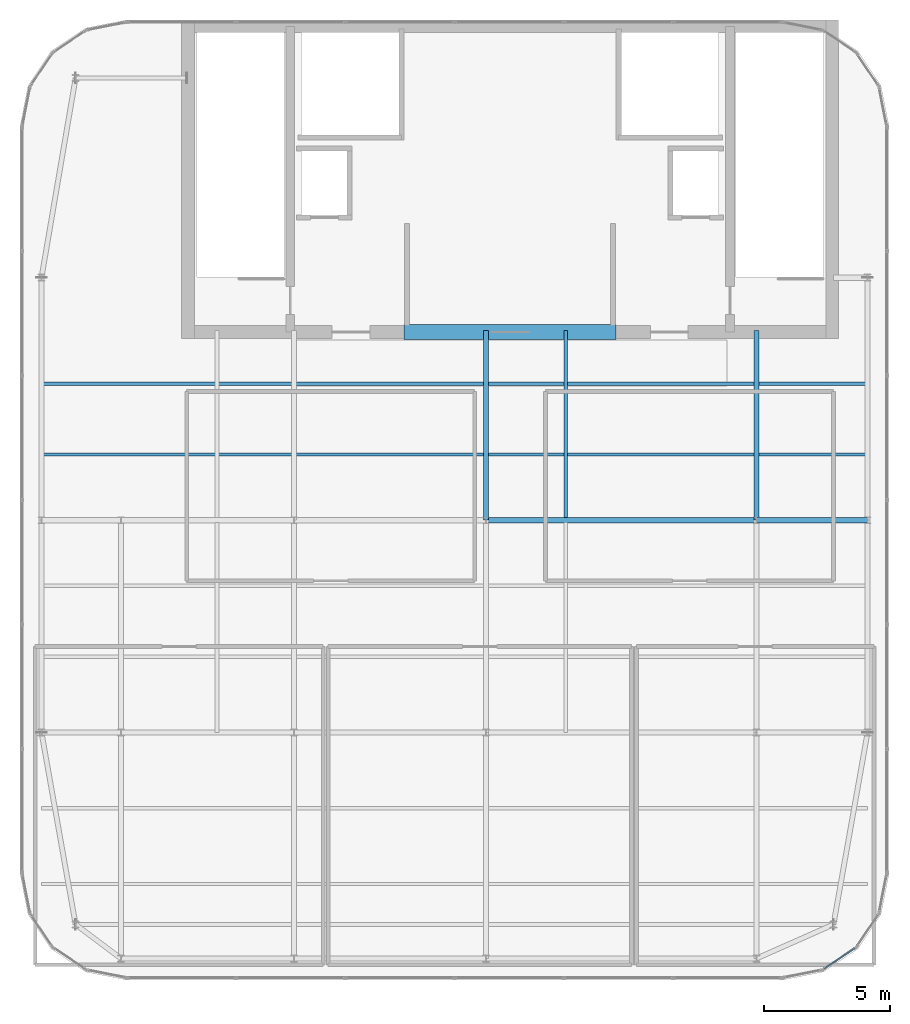
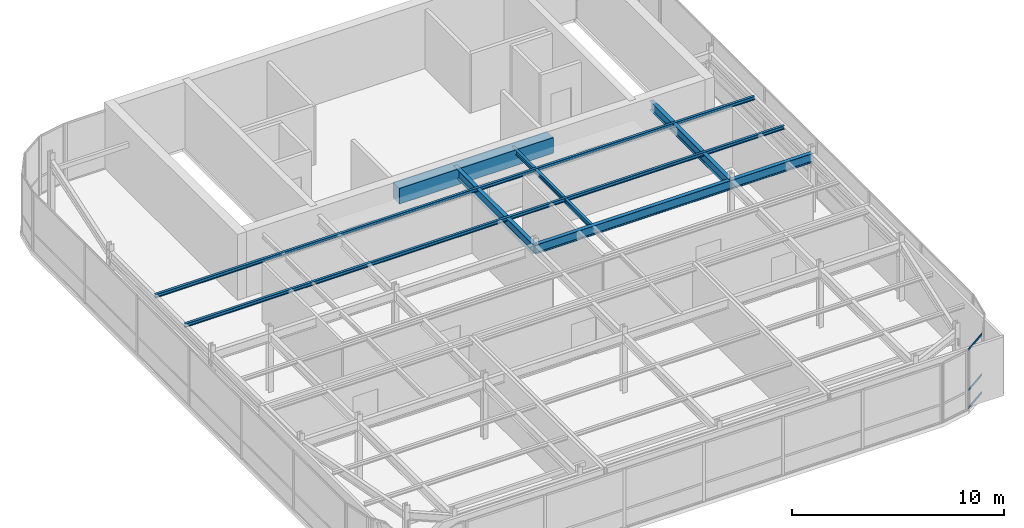
# One storey, part 20 of 35: 6 beams, 5 members, 1 element without a shape of its own.
"""IFC4 building model written with IfcOpenShell, lengths in metres."""

import ifcopenshell
import ifcopenshell.guid

model = None  # the IFC model being written
_history = None  # IfcOwnerHistory: only IFC2X3 demands one
_inside = {}  # id of a spatial element -> (the spatial element, [elements in it])
_under = {}  # id of a project, library or spatial element -> (it, [spatial elements below it])
_declared = {}  # id of a project -> (the project, [libraries it declares])
_typed = {}  # id of a type object -> (the type object, [elements of that type])
_made_of = {}  # id of a material, layer set ... -> (it, [elements and type objects made of it])


def new_model(schema):
    """Start an empty IFC model of exactly this schema.

    Asked for "IFC4X3", IfcOpenShell would pick the latest addendum, in which some entities
    have other attributes; the version numbers below select the first issue.
    IFC2X3 requires an IfcOwnerHistory on every rooted entity: one is made here for all.
    """
    global model, _history
    if schema == "IFC4X3":
        model = ifcopenshell.file(schema_version=(4, 3, 0, 0))
    else:
        model = ifcopenshell.file(schema=schema)
    _inside.clear()
    _under.clear()
    _declared.clear()
    _typed.clear()
    _made_of.clear()
    _history = None
    if model.schema == "IFC2X3":
        org = make("IfcOrganization", Name="unknown")
        user = make(
            "IfcPersonAndOrganization",
            ThePerson=make("IfcPerson", FamilyName="unknown"),
            TheOrganization=org,
        )
        app = make(
            "IfcApplication",
            ApplicationDeveloper=org,
            Version="unknown",
            ApplicationFullName="unknown",
            ApplicationIdentifier="unknown",
        )
        _history = make(
            "IfcOwnerHistory",
            OwningUser=user,
            OwningApplication=app,
            ChangeAction="ADDED",
            CreationDate=0,
        )
    return model


def make(cls, **values):
    """One entity of the class cls with the attributes given. An attribute that is None is left unset."""
    return model.create_entity(
        cls, **{name: value for name, value in values.items() if value is not None}
    )


def rooted(cls, **values):
    """An entity with a GlobalId (a new one), such as an element, a storey or a relation."""
    return make(cls, GlobalId=ifcopenshell.guid.new(), OwnerHistory=_history, **values)


def si_unit(unit_type, name, prefix=None):
    """IfcSIUnit, for example si_unit("LENGTHUNIT", "METRE", prefix="MILLI")."""
    return make("IfcSIUnit", UnitType=unit_type, Prefix=prefix, Name=name)


def assignment(units):
    """IfcUnitAssignment: the units of a project."""
    return None if units is None else make("IfcUnitAssignment", Units=units)


def point(xyz):
    """IfcCartesianPoint."""
    return None if xyz is None else make("IfcCartesianPoint", Coordinates=xyz)


def direction(xyz):
    """IfcDirection."""
    return None if xyz is None else make("IfcDirection", DirectionRatios=xyz)


def frame(location, z_axis=None, x_axis=None):
    """IfcAxis2Placement3D, a coordinate frame: its origin and axes. An axis left out is left unset."""
    return make(
        "IfcAxis2Placement3D",
        Location=point(location),
        Axis=direction(z_axis),
        RefDirection=direction(x_axis),
    )


def frame_2d(location, x_axis=None):
    """IfcAxis2Placement2D, a coordinate frame in the plane: its origin and x axis."""
    return make(
        "IfcAxis2Placement2D", Location=point(location), RefDirection=direction(x_axis)
    )


def origin():
    """The frame at (0, 0, 0) with its axes left unset."""
    return frame((0.0, 0.0, 0.0))


def origin_2d():
    """The frame at (0, 0) in the plane with its x axis left unset."""
    return frame_2d((0.0, 0.0))


def place(relative_to, where):
    """IfcLocalPlacement: puts the frame where relative to a parent placement (None: the world)."""
    return make(
        "IfcLocalPlacement", PlacementRelTo=relative_to, RelativePlacement=where
    )


def context(
    kind, dimensions, precision=None, world=None, true_north=None, identifier=None
):
    """IfcGeometricRepresentationContext, for example the 3D "Model" context."""
    return make(
        "IfcGeometricRepresentationContext",
        ContextIdentifier=identifier,
        ContextType=kind,
        CoordinateSpaceDimension=dimensions,
        Precision=precision,
        WorldCoordinateSystem=world,
        TrueNorth=true_north,
    )


def subcontext(parent, identifier, kind, view, scale=None):
    """IfcGeometricRepresentationSubContext, for example "Body" below "Model"."""
    return make(
        "IfcGeometricRepresentationSubContext",
        ContextIdentifier=identifier,
        ContextType=kind,
        ParentContext=parent,
        TargetScale=scale,
        TargetView=view,
    )


def project(units=None, contexts=None):
    """IfcProject with its units and contexts."""
    return rooted(
        "IfcProject",
        Name="project",
        RepresentationContexts=contexts,
        UnitsInContext=assignment(units),
    )


def spatial(cls, under=None, at=None, **own):
    """A site, building, storey or space (cls), placed at a placement, below another one or the project."""
    s = rooted(cls, ObjectPlacement=at, **own)
    if under is not None:
        _under.setdefault(under.id(), (under, []))[1].append(s)
    return s


def profile(cls, at=None, kind="AREA", **sizes):
    """A parametric profile (cls). Its sizes go by their IFC names, for example OverallWidth=200.0."""
    return make(cls, ProfileType=kind, Position=at, **sizes)


def rectangle(**sizes):
    """IfcRectangleProfileDef."""
    return profile("IfcRectangleProfileDef", **sizes)


def hollow_rectangle(**sizes):
    """IfcRectangleHollowProfileDef."""
    return profile("IfcRectangleHollowProfileDef", **sizes)


def i_section(**sizes):
    """IfcIShapeProfileDef."""
    return profile("IfcIShapeProfileDef", **sizes)


def extrude(swept, where, along, depth):
    """IfcExtrudedAreaSolid: the profile swept, set in the frame where, extruded along a direction by depth."""
    return make(
        "IfcExtrudedAreaSolid",
        SweptArea=swept,
        Position=where,
        ExtrudedDirection=direction(along),
        Depth=depth,
    )


def shape(context_of_items, identifier, shape_type, items):
    """IfcShapeRepresentation: the items that make up one representation, for example the "Body"."""
    return make(
        "IfcShapeRepresentation",
        ContextOfItems=context_of_items,
        RepresentationIdentifier=identifier,
        RepresentationType=shape_type,
        Items=items,
    )


def source(mapping_origin, context_of_items, identifier, shape_type, items):
    """IfcRepresentationMap: a shape defined once, which mapped items show again and again."""
    return make(
        "IfcRepresentationMap",
        MappingOrigin=mapping_origin,
        MappedRepresentation=shape(context_of_items, identifier, shape_type, items),
    )


def transform(
    local_origin,
    x_axis=None,
    y_axis=None,
    z_axis=None,
    scale=None,
    scale2=None,
    scale3=None,
    uniform=True,
):
    """IfcCartesianTransformationOperator3D, or its non-uniform kind. x_axis, y_axis, z_axis: its Axis1, 2, 3."""
    if uniform:
        return make(
            "IfcCartesianTransformationOperator3D",
            Axis1=direction(x_axis),
            Axis2=direction(y_axis),
            LocalOrigin=point(local_origin),
            Scale=scale,
            Axis3=direction(z_axis),
        )
    return make(
        "IfcCartesianTransformationOperator3DnonUniform",
        Axis1=direction(x_axis),
        Axis2=direction(y_axis),
        LocalOrigin=point(local_origin),
        Scale=scale,
        Axis3=direction(z_axis),
        Scale2=scale2,
        Scale3=scale3,
    )


def mapped(mapping_source, mapping_target):
    """IfcMappedItem: shows the shape of a source again, moved by a transform."""
    return make(
        "IfcMappedItem", MappingSource=mapping_source, MappingTarget=mapping_target
    )


def material(Name=None, Category=None):
    """IfcMaterial."""
    return make("IfcMaterial", Name=Name, Category=Category)


def layer(
    of_material, thickness, ventilated=None, Name=None, Category=None, Priority=None
):
    """IfcMaterialLayer: one layer of a wall or slab, of a material (None: an air gap)."""
    return make(
        "IfcMaterialLayer",
        Material=of_material,
        LayerThickness=thickness,
        IsVentilated=ventilated,
        Name=Name,
        Category=Category,
        Priority=Priority,
    )


def layer_set(layers, Name=None):
    """IfcMaterialLayerSet."""
    return make("IfcMaterialLayerSet", MaterialLayers=layers, LayerSetName=Name)


def material_profile(
    of_material, cross_section, Name=None, Category=None, Priority=None
):
    """IfcMaterialProfile: a cross section and its material."""
    return make(
        "IfcMaterialProfile",
        Name=Name,
        Material=of_material,
        Profile=cross_section,
        Priority=Priority,
        Category=Category,
    )


def profile_set(profiles, Name=None, composite=None):
    """IfcMaterialProfileSet."""
    return make(
        "IfcMaterialProfileSet",
        Name=Name,
        MaterialProfiles=profiles,
        CompositeProfile=composite,
    )


def made_of(thing, what):
    """Note that an element or type object is made of a material, layer set ...; save() writes the relation."""
    if what is not None:
        _made_of.setdefault(what.id(), (what, []))[1].append(thing)
    return thing


def type_object(cls, material=None, **own):
    """A type object (cls), such as IfcWallType, which elements share."""
    return made_of(rooted(cls, **own), material)


def type_shapes(of_type, sources):
    """Give a type object the sources (RepresentationMaps) that its elements show as mapped items."""
    of_type.RepresentationMaps = sources


def element(
    cls,
    number,
    at=None,
    inside=None,
    cuts=None,
    type_object=None,
    material=None,
    context=None,
    identifier="Body",
    shape_type=None,
    held_by="IfcProductDefinitionShape",
    body=None,
    shapes=None,
    **own,
):
    """One element of the class cls, such as IfcWall. Its Tag is "e" and its number.

    at: its placement. inside: the storey or other place that contains it. cuts: it is an
    opening in that element (IfcRelVoidsElement). A single representation is given by context,
    identifier, shape_type and body (its items); several are given by shapes. held_by: the class
    of the entity that holds the representations. save() writes the other relations.
    """
    e = rooted(cls, Tag="e%d" % number, ObjectPlacement=at, **own)
    if body is not None:
        shapes = [shape(context, identifier, shape_type, body)]
    if shapes is not None:
        e.Representation = make(held_by, Representations=shapes)
    if inside is not None:
        _inside.setdefault(inside.id(), (inside, []))[1].append(e)
    if cuts is not None:
        rooted(
            "IfcRelVoidsElement", RelatingBuildingElement=cuts, RelatedOpeningElement=e
        )
    if type_object is not None:
        _typed.setdefault(type_object.id(), (type_object, []))[1].append(e)
    return made_of(e, material)


def aggregate(whole, parts):
    """IfcRelAggregates: a whole, such as a stair, and the parts it consists of."""
    return rooted("IfcRelAggregates", RelatingObject=whole, RelatedObjects=parts)


def save(model, path):
    """Write the relations noted so far, then the file.

    IfcRelAggregates (storeys below a building ...), IfcRelContainedInSpatialStructure (elements
    in a storey), IfcRelDefinesByType, IfcRelAssociatesMaterial and IfcRelDeclares: one each for
    every whole, place, type object, material and project.
    """
    for whole, parts in _under.values():
        aggregate(whole, parts)
    for where, things in _inside.values():
        rooted(
            "IfcRelContainedInSpatialStructure",
            RelatedElements=things,
            RelatingStructure=where,
        )
    for kind, things in _typed.values():
        rooted("IfcRelDefinesByType", RelatedObjects=things, RelatingType=kind)
    for what, things in _made_of.values():
        rooted("IfcRelAssociatesMaterial", RelatedObjects=things, RelatingMaterial=what)
    for by, libraries in _declared.values():
        rooted("IfcRelDeclares", RelatingContext=by, RelatedDefinitions=libraries)
    model.write(path)


model = new_model("IFC4")

# Units and contexts
model_context = context("Model", 3, precision=1e-05, world=origin(), true_north=direction((0.0, 1.0)))
body_context = subcontext(model_context, "Body", "Model", "MODEL_VIEW")
ifc_project = project(units=[si_unit("LENGTHUNIT", "METRE"), si_unit("AREAUNIT", "SQUARE_METRE"), si_unit("VOLUMEUNIT", "CUBIC_METRE"), si_unit("PLANEANGLEUNIT", "RADIAN"), si_unit("MASSUNIT", "GRAM", prefix="KILO")], contexts=[model_context])

# Site, building, storey
site_placement = place(None, origin())
site = spatial("IfcSite", under=ifc_project, at=site_placement, CompositionType="ELEMENT")
building_placement = place(site_placement, origin())
building = spatial("IfcBuilding", under=site, at=building_placement, Name="Tolvann Quenvar Hotel", CompositionType="ELEMENT")
storey_placement = place(building_placement, frame((0.0, 0.0, 309.949951171875)))
storey = spatial("IfcBuildingStorey", under=building, at=storey_placement, Name="L82", CompositionType="ELEMENT", Elevation=309.949951171875)

# Beams
ifc_material_1 = material(Name="Concrete N50 (50 MPa)", Category="concrete")
ifc_material_profile_1 = material_profile(ifc_material_1, rectangle(XDim=0.60009765625, YDim=0.89990234375, at=origin_2d()), Name="RC600x900")
ifc_profile_set_1 = profile_set([ifc_material_profile_1], Name="Concrete N50 (50 MPa)")
beam_type_1 = type_object("IfcBeamType", Name="BM_LINT_RC600x900", PredefinedType="LINTEL", material=ifc_profile_set_1)
shared_shape_1 = source(origin(), body_context, "Body", "SweptSolid", [
    extrude(rectangle(XDim=0.60009765625, YDim=0.89990234375, at=origin_2d()), origin(), (0.0, 0.0, 1.0), 8.39990234375),
])
type_shapes(beam_type_1, [shared_shape_1])
beam_1_placement = place(storey_placement, frame((18.800048828125, 31.85009765625, 2.949951171875), z_axis=(1.0, 0.0, 0.0), x_axis=(0.0, 1.0, 0.0)))
element("IfcBeam", 1, at=beam_1_placement, inside=storey, type_object=beam_type_1, Name="Core Coupling Lintel Beam (L82)", PredefinedType="LINTEL", context=body_context, shape_type="MappedRepresentation", body=[
    mapped(shared_shape_1, transform((0.0, 0.0, 0.0), x_axis=(1.0, 0.0, 0.0), y_axis=(0.0, 1.0, 0.0), z_axis=(0.0, 0.0, 1.0), scale=1.0)),
])
ifc_material_2 = material(Name="Steel Grade 350", Category="steel")
ifc_material_profile_2 = material_profile(ifc_material_2, i_section(OverallWidth=0.208984375, OverallDepth=0.532958984375, WebThickness=0.01025390625, FlangeThickness=0.015625, FilletRadius=0.013916015625, at=origin_2d()), Name="530UB92")
ifc_profile_set_2 = profile_set([ifc_material_profile_2], Name="Steel Grade 350")
beam_type_2 = type_object("IfcBeamType", Name="BM_GIRD_530UB92", PredefinedType="BEAM", material=ifc_profile_set_2)
shared_shape_2 = source(origin(), body_context, "Body", "SweptSolid", [
    extrude(i_section(OverallWidth=0.208984375, OverallDepth=0.532958984375, WebThickness=0.01025390625, FlangeThickness=0.015625, FilletRadius=0.013916015625, at=origin_2d()), origin(), (0.0, 0.0, 1.0), 7.5),
])
for number, where, z_axis, x_axis, name in (
    (2, (22.050048828125, 24.39990234375, 3.133544921875), (0.0, 1.0, 0.0), (-1.0, 0.0, 0.0), "BM-L82-CORE-E5"),
    (3, (32.75, 24.39990234375, 3.133544921875), (0.0, 1.0, 0.0), (-1.0, 0.0, 0.0), "BM-L82-CORE-FP5"),
):
    element("IfcBeam", number, at=place(storey_placement, frame(where, z_axis=z_axis, x_axis=x_axis)), inside=storey, type_object=beam_type_2, Name=name, PredefinedType="BEAM", context=body_context, shape_type="MappedRepresentation", body=[
        mapped(shared_shape_2, transform((0.0, 0.0, 0.0), x_axis=(1.0, 0.0, 0.0), y_axis=(0.0, 1.0, 0.0), z_axis=(0.0, 0.0, 1.0), scale=1.0)),
    ])
shared_shape_3 = source(origin(), body_context, "Body", "SweptSolid", [
    extrude(i_section(OverallWidth=0.208984375, OverallDepth=0.532958984375, WebThickness=0.01025390625, FlangeThickness=0.015625, FilletRadius=0.013916015625, at=origin_2d()), origin(), (0.0, 0.0, 1.0), 10.699951171875),
])
beam_2_placement = place(storey_placement, frame((22.050048828125, 24.39990234375, 3.133544921875), z_axis=(1.0, 0.0, 0.0), x_axis=(0.0, 1.0, 0.0)))
element("IfcBeam", 4, at=beam_2_placement, inside=storey, type_object=beam_type_2, Name="BM-L82-EW-5-E5-FP5", PredefinedType="BEAM", context=body_context, shape_type="MappedRepresentation", body=[
    mapped(shared_shape_3, transform((0.0, 0.0, 0.0), x_axis=(1.0, 0.0, 0.0), y_axis=(0.0, 1.0, 0.0), z_axis=(0.0, 0.0, 1.0), scale=1.0)),
])
shared_shape_4 = source(origin(), body_context, "Body", "SweptSolid", [
    extrude(i_section(OverallWidth=0.208984375, OverallDepth=0.532958984375, WebThickness=0.01025390625, FlangeThickness=0.015625, FilletRadius=0.013916015625, at=origin_2d()), origin(), (0.0, 0.0, 1.0), 4.39990234375),
])
type_shapes(beam_type_2, [shared_shape_2, shared_shape_3, shared_shape_4])
beam_3_placement = place(storey_placement, frame((32.75, 24.39990234375, 3.133544921875), z_axis=(1.0, 0.0, 0.0), x_axis=(0.0, 1.0, 0.0)))
element("IfcBeam", 5, at=beam_3_placement, inside=storey, type_object=beam_type_2, Name="BM-L82-EW-5-FP5-G5", PredefinedType="BEAM", context=body_context, shape_type="MappedRepresentation", body=[
    mapped(shared_shape_4, transform((0.0, 0.0, 0.0), x_axis=(1.0, 0.0, 0.0), y_axis=(0.0, 1.0, 0.0), z_axis=(0.0, 0.0, 1.0), scale=1.0)),
])
ifc_material_profile_3 = material_profile(ifc_material_2, i_section(OverallWidth=0.14599609375, OverallDepth=0.256103515625, WebThickness=0.00634765625, FlangeThickness=0.010986328125, FilletRadius=0.0087890625, at=origin_2d()), Name="250UB37")
ifc_profile_set_3 = profile_set([ifc_material_profile_3], Name="Steel Grade 350")
beam_type_3 = type_object("IfcBeamType", Name="BM_JOIST_250UB37", PredefinedType="JOIST", material=ifc_profile_set_3)
shared_shape_5 = source(origin(), body_context, "Body", "SweptSolid", [
    extrude(i_section(OverallWidth=0.14599609375, OverallDepth=0.256103515625, WebThickness=0.00634765625, FlangeThickness=0.010986328125, FilletRadius=0.0087890625, at=origin_2d()), origin(), (0.0, 0.0, 1.0), 7.4013671875),
])
type_shapes(beam_type_3, [shared_shape_5])
beam_4_placement = place(storey_placement, frame((25.199951171875, 24.49853515625, 3.27197265625), z_axis=(0.0, 1.0, 0.0), x_axis=(-1.0, 0.0, 0.0)))
element("IfcBeam", 6, at=beam_4_placement, inside=storey, type_object=beam_type_3, Name="BJ-L82-252-244", PredefinedType="JOIST", context=body_context, shape_type="MappedRepresentation", body=[
    mapped(shared_shape_5, transform((0.0, 0.0, 0.0), x_axis=(1.0, 0.0, 0.0), y_axis=(0.0, 1.0, 0.0), z_axis=(0.0, 0.0, 1.0), scale=1.0)),
])

# Members
ifc_material_profile_4 = material_profile(ifc_material_2, i_section(OverallWidth=0.134033203125, OverallDepth=0.20703125, WebThickness=0.00634765625, FlangeThickness=0.009521484375, FilletRadius=0.0087890625, at=origin_2d()), Name="200UB30")
ifc_profile_set_4 = profile_set([ifc_material_profile_4], Name="Steel Grade 350")
member_type_1 = type_object("IfcMemberType", Name="MEM_PURL_200UB", PredefinedType="PURLIN", material=ifc_profile_set_4)
shared_shape_6 = source(origin(), body_context, "Body", "SweptSolid", [
    extrude(i_section(OverallWidth=0.134033203125, OverallDepth=0.20703125, WebThickness=0.00634765625, FlangeThickness=0.009521484375, FilletRadius=0.0087890625, at=origin_2d()), origin(), (0.0, 0.0, 1.0), 32.699951171875),
])
type_shapes(member_type_1, [shared_shape_6])
for number, where, z_axis, x_axis, name in (
    (7, (4.449951171875, 27.0, 3.296630859375), (1.0, 0.0, 0.0), (0.0, 1.0, 0.0), "Lantern Roof Purlin PU-5"),
    (8, (4.449951171875, 29.800048828125, 3.296630859375), (1.0, 0.0, 0.0), (0.0, 1.0, 0.0), "Lantern Roof Purlin PU-6"),
):
    element("IfcMember", number, at=place(storey_placement, frame(where, z_axis=z_axis, x_axis=x_axis)), inside=storey, type_object=member_type_1, Name=name, PredefinedType="PURLIN", context=body_context, shape_type="MappedRepresentation", body=[
        mapped(shared_shape_6, transform((0.0, 0.0, 0.0), x_axis=(1.0, 0.0, 0.0), y_axis=(0.0, 1.0, 0.0), z_axis=(0.0, 0.0, 1.0), scale=1.0)),
    ])

# Curtain wall, members
ifc_material_3 = material(Name="Thermally broken anodised architectural aluminium 6063-T6 and laminated low-E glass", Category="aluminium")
ifc_layer = layer(ifc_material_3, 0.179931640625)
ifc_layer_set = layer_set([ifc_layer], Name="Thermally broken anodised architectural aluminium 6063-T6 and laminated low-E glass")
curtain_wall_type = type_object("IfcCurtainWallType", Name="CW_SYS_LANT_06", PredefinedType="USERDEFINED", material=ifc_layer_set)
curtain_wall_placement = place(storey_placement, origin())
curtain_wall = element("IfcCurtainWall", 9, at=curtain_wall_placement, inside=storey, type_object=curtain_wall_type, Name="Curtain Wall CW-LANT-06 (CWR-L82-E06)", ObjectType="UNITISED CURTAIN WALL", PredefinedType="USERDEFINED")
ifc_material_4 = material(Name="Anodised architectural aluminium 6063-T6 framing", Category="aluminium")
ifc_material_profile_5 = material_profile(ifc_material_4, hollow_rectangle(XDim=0.050048828125, YDim=0.10009765625, WallThickness=0.0029296875, at=origin_2d()), Name="100x50x3RHS")
ifc_profile_set_5 = profile_set([ifc_material_profile_5], Name="Anodised architectural aluminium 6063-T6 framing")
member_type_2 = type_object("IfcMemberType", Name="CW_TRAN_100x50", PredefinedType="USERDEFINED", material=ifc_profile_set_5)
shared_shape_7 = source(origin(), body_context, "Body", "SweptSolid", [
    extrude(hollow_rectangle(XDim=0.050048828125, YDim=0.10009765625, WallThickness=0.0029296875, at=origin_2d()), origin(), (0.0, 0.0, 1.0), 1.439208984375),
])
type_shapes(member_type_2, [shared_shape_7])
member_1_placement = place(storey_placement, frame((35.440185546875, 6.64990234375, 0.025146484375), z_axis=(0.831449510818, 0.555600315839, 0.0), x_axis=(-0.555600315839, 0.831449510818, 0.0)))
member_1 = element("IfcMember", 10, at=member_1_placement, type_object=member_type_2, Name="CW-LANT-06 transom 1.1", ObjectType="TRANSOM", PredefinedType="USERDEFINED", context=body_context, shape_type="MappedRepresentation", body=[
    mapped(shared_shape_7, transform((0.0, 0.0, 0.0), x_axis=(1.0, 0.0, 0.0), y_axis=(0.0, 1.0, 0.0), z_axis=(0.0, 0.0, 1.0), scale=1.0)),
])
member_2_placement = place(storey_placement, frame((35.440185546875, 6.64990234375, 1.050048828125), z_axis=(0.831449510818, 0.555600315839, 0.0), x_axis=(-0.555600315839, 0.831449510818, 0.0)))
member_2 = element("IfcMember", 11, at=member_2_placement, type_object=member_type_2, Name="CW-LANT-06 transom 1.2", ObjectType="TRANSOM", PredefinedType="USERDEFINED", context=body_context, shape_type="MappedRepresentation", body=[
    mapped(shared_shape_7, transform((0.0, 0.0, 0.0), x_axis=(1.0, 0.0, 0.0), y_axis=(0.0, 1.0, 0.0), z_axis=(0.0, 0.0, 1.0), scale=1.0)),
])
member_3_placement = place(storey_placement, frame((35.440185546875, 6.64990234375, 3.375), z_axis=(0.831449510818, 0.555600315839, 0.0), x_axis=(-0.555600315839, 0.831449510818, 0.0)))
member_3 = element("IfcMember", 12, at=member_3_placement, type_object=member_type_2, Name="CW-LANT-06 transom 1.3", ObjectType="TRANSOM", PredefinedType="USERDEFINED", context=body_context, shape_type="MappedRepresentation", body=[
    mapped(shared_shape_7, transform((0.0, 0.0, 0.0), x_axis=(1.0, 0.0, 0.0), y_axis=(0.0, 1.0, 0.0), z_axis=(0.0, 0.0, 1.0), scale=1.0)),
])
aggregate(curtain_wall, [member_1, member_2, member_3])

save(model, "model.ifc")
